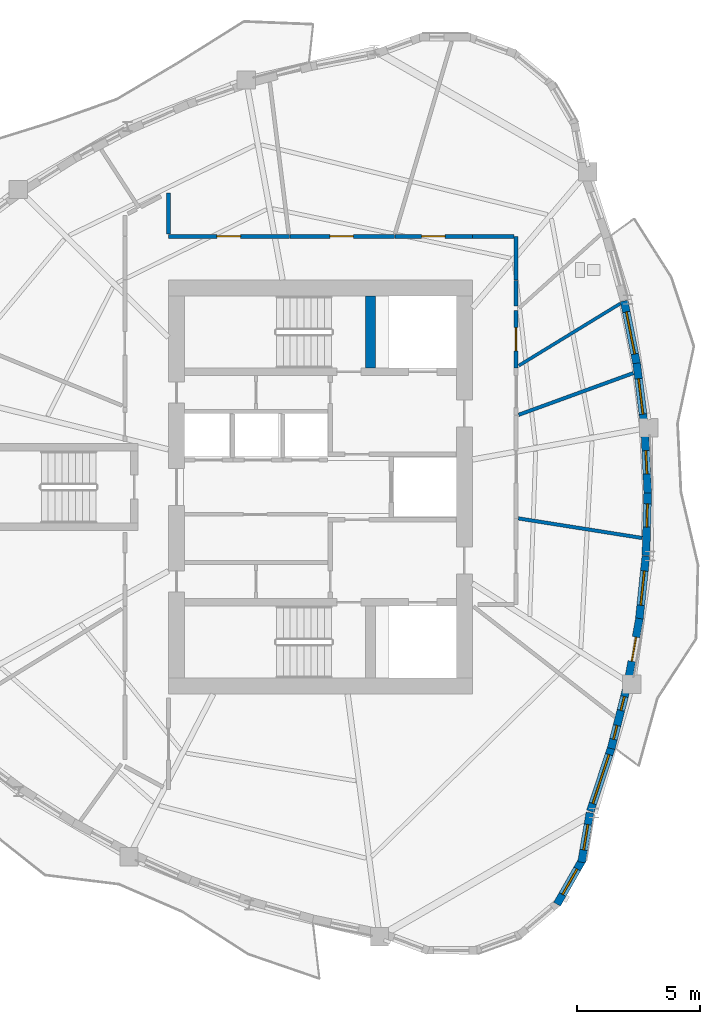
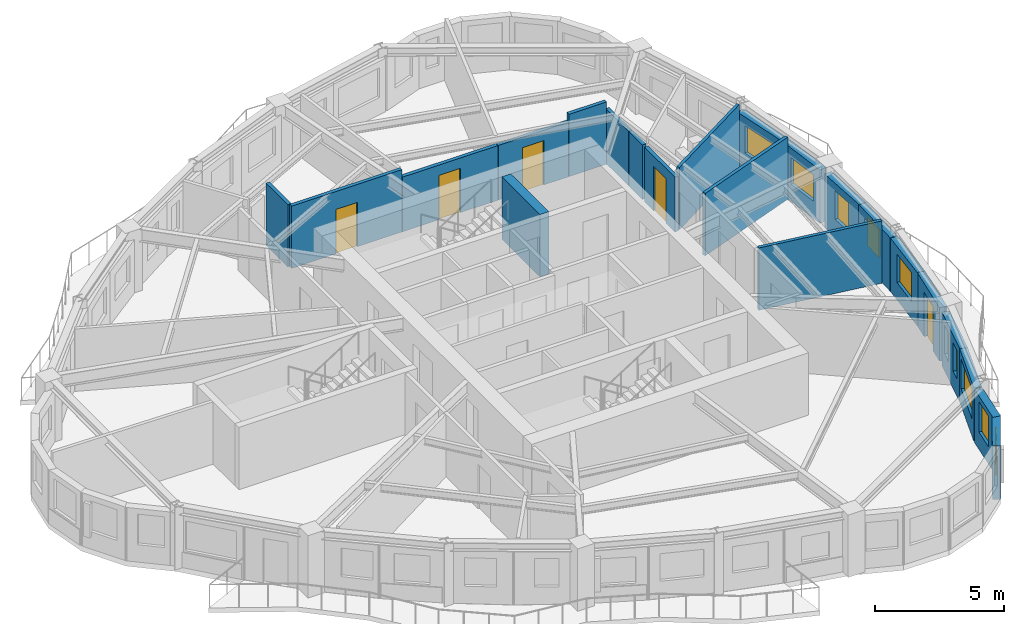
# One storey, part 6 of 12: 22 walls, 10 windows, 5 doors, 15 openings.
"""IFC4 building model written with IfcOpenShell, lengths in metres."""

from ifc_helpers import new_model, si_unit, direction, frame, frame_2d, origin, place, context, subcontext, project, spatial, rectangle, extrude, source, transform, mapped, material, layer, layer_set, type_object, element, fill, save


model = new_model("IFC4")

# Units and contexts
model_context = context("Model", 3, precision=1e-05, world=origin(), true_north=direction((0.0, 1.0)))
body_context = subcontext(model_context, "Body", "Model", "MODEL_VIEW")
ifc_project = project(units=[si_unit("LENGTHUNIT", "METRE"), si_unit("AREAUNIT", "SQUARE_METRE"), si_unit("VOLUMEUNIT", "CUBIC_METRE"), si_unit("PLANEANGLEUNIT", "RADIAN"), si_unit("MASSUNIT", "GRAM", prefix="KILO")], contexts=[model_context])

# Site, building, storey
site_placement = place(None, origin())
site = spatial("IfcSite", under=ifc_project, at=site_placement, CompositionType="ELEMENT")
building_placement = place(site_placement, origin())
building = spatial("IfcBuilding", under=site, at=building_placement, Name="Qafzar Sky-Pleat Residences", CompositionType="ELEMENT")
storey_placement = place(building_placement, frame((0.0, 0.0, 177.800048828125)))
storey = spatial("IfcBuildingStorey", under=building, at=storey_placement, Name="L53", CompositionType="ELEMENT", Elevation=177.800048828125)

# Wall, opening, door
ifc_material_1 = material(Name="Acoustic gypsum plasterboard partition", Category="gypsum")
ifc_layer_1 = layer(ifc_material_1, 0.159912109375)
ifc_layer_set_1 = layer_set([ifc_layer_1], Name="Acoustic gypsum plasterboard partition")
wall_type_1 = type_object("IfcWallType", Name="PART-COR-160", PredefinedType="PARTITIONING", material=ifc_layer_set_1)
wall_1_placement = place(storey_placement, frame((24.14990234375, 36.22998046875, 0.0), z_axis=(0.0, 0.0, 1.0), x_axis=(1.0, 0.0, 0.0)))
wall_1 = element("IfcWall", 1, at=wall_1_placement, inside=storey, type_object=wall_type_1, Name="L53 Partition Wall PART-L53-PW-003", PredefinedType="PARTITIONING", context=body_context, shape_type="SweptSolid", body=[
    extrude(rectangle(XDim=4.93603515625, YDim=0.159912109375, at=frame_2d((2.468017578125, 0.0))), origin(), (0.0, 0.0, 1.0), 2.949951171875),
])
opening_1_placement = place(wall_1_placement, frame((1.98046875, 0.0, 0.0)))
opening_1 = element("IfcOpeningElement", 2, at=opening_1_placement, cuts=wall_1, Name="Opening ID-06", PredefinedType="OPENING", context=body_context, shape_type="SweptSolid", body=[
    extrude(rectangle(XDim=0.9599609375, YDim=2.10009765625, at=frame_2d((0.47998046875, 1.050048828125))), frame((0.0, 0.08984375, 0.0), z_axis=(0.0, -1.0, 0.0), x_axis=(1.0, 0.0, 0.0)), (0.0, 0.0, 1.0), 0.179931640625),
])
ifc_material_2 = material(Name="Timber-faced fire door", Category="wood")
door_type_1 = type_object("IfcDoorType", Name="DR-STD-960", OperationType="NOTDEFINED", PredefinedType="DOOR", material=ifc_material_2)
shared_shape_1 = source(origin(), body_context, "Body", "SweptSolid", [
    extrude(rectangle(XDim=0.9599609375, YDim=2.10009765625, at=frame_2d((0.47998046875, 1.050048828125))), frame((0.0, 0.02490234375, 0.0), z_axis=(0.0, -1.0, 0.0), x_axis=(1.0, 0.0, 0.0)), (0.0, 0.0, 1.0), 0.050048828125),
])
door_1_placement = place(opening_1_placement, origin())
door_1 = element("IfcDoor", 3, at=door_1_placement, inside=storey, type_object=door_type_1, Name="L53 Wellness Yoga Studio Door", OperationType="SINGLE_SWING_LEFT", OverallHeight=2.10009765625, OverallWidth=0.9599609375, PredefinedType="DOOR", context=body_context, shape_type="MappedRepresentation", body=[
    mapped(shared_shape_1, transform((0.0, 0.0, 0.0), x_axis=(1.0, 0.0, 0.0), y_axis=(0.0, 1.0, 0.0), z_axis=(0.0, 0.0, 1.0), scale=1.0)),
])
fill(opening_1, door_1)

wall_2_placement = place(storey_placement, frame((29.10107421875, 36.22998046875, 0.0), z_axis=(0.0, 0.0, 1.0), x_axis=(1.0, 0.0, 0.0)))
wall_2 = element("IfcWall", 4, at=wall_2_placement, inside=storey, type_object=wall_type_1, Name="L53 Partition Wall PART-L53-PW-004", PredefinedType="PARTITIONING", context=body_context, shape_type="SweptSolid", body=[
    extrude(rectangle(XDim=4.280029296875, YDim=0.159912109375, at=frame_2d((2.14013671875, 0.0))), origin(), (0.0, 0.0, 1.0), 2.587890625),
])
opening_2_placement = place(wall_2_placement, frame((1.636962890625, 0.0, 0.0)))
opening_2 = element("IfcOpeningElement", 5, at=opening_2_placement, cuts=wall_2, Name="Opening ID-06", PredefinedType="OPENING", context=body_context, shape_type="SweptSolid", body=[
    extrude(rectangle(XDim=0.9599609375, YDim=2.10009765625, at=frame_2d((0.47998046875, 1.050048828125))), frame((0.0, 0.08984375, 0.0), z_axis=(0.0, -1.0, 0.0), x_axis=(1.0, 0.0, 0.0)), (0.0, 0.0, 1.0), 0.179931640625),
])
door_2_placement = place(opening_2_placement, origin())
door_2 = element("IfcDoor", 6, at=door_2_placement, inside=storey, type_object=door_type_1, Name="L53 Postdoctoral Admin Office Door", OperationType="SINGLE_SWING_RIGHT", OverallHeight=2.10009765625, OverallWidth=0.9599609375, PredefinedType="DOOR", context=body_context, shape_type="MappedRepresentation", body=[
    mapped(shared_shape_1, transform((0.0, 0.0, 0.0), x_axis=(1.0, 0.0, 0.0), y_axis=(0.0, 1.0, 0.0), z_axis=(0.0, 0.0, 1.0), scale=1.0)),
])
fill(opening_2, door_2)

wall_3_placement = place(storey_placement, frame((33.39599609375, 36.22998046875, 0.0), z_axis=(0.0, 0.0, 1.0), x_axis=(1.0, 0.0, 0.0)))
wall_3 = element("IfcWall", 7, at=wall_3_placement, inside=storey, type_object=wall_type_1, Name="L53 Partition Wall PART-L53-PW-008", PredefinedType="PARTITIONING", context=body_context, shape_type="SweptSolid", body=[
    extrude(rectangle(XDim=3.154052734375, YDim=0.159912109375, at=frame_2d((1.5771484375, 0.0))), origin(), (0.0, 0.0, 1.0), 2.587890625),
])
opening_3_placement = place(wall_3_placement, frame((1.08154296875, 0.0, 0.0)))
opening_3 = element("IfcOpeningElement", 8, at=opening_3_placement, cuts=wall_3, Name="Opening ID-06", PredefinedType="OPENING", context=body_context, shape_type="SweptSolid", body=[
    extrude(rectangle(XDim=0.9599609375, YDim=2.10009765625, at=frame_2d((0.47998046875, 1.050048828125))), frame((0.0, 0.08984375, 0.0), z_axis=(0.0, -1.0, 0.0), x_axis=(1.0, 0.0, 0.0)), (0.0, 0.0, 1.0), 0.179931640625),
])
door_3_placement = place(opening_3_placement, origin())
door_3 = element("IfcDoor", 9, at=door_3_placement, inside=storey, type_object=door_type_1, Name="L53 Graduate Desk Workspace Door", OperationType="SINGLE_SWING_RIGHT", OverallHeight=2.10009765625, OverallWidth=0.9599609375, PredefinedType="DOOR", context=body_context, shape_type="MappedRepresentation", body=[
    mapped(shared_shape_1, transform((0.0, 0.0, 0.0), x_axis=(1.0, 0.0, 0.0), y_axis=(0.0, 1.0, 0.0), z_axis=(0.0, 0.0, 1.0), scale=1.0)),
])
fill(opening_3, door_3)

wall_4_placement = place(storey_placement, frame((38.330078125, 33.2060546875, 0.0), z_axis=(0.0, 0.0, 1.0), x_axis=(0.0, -1.0, 0.0)))
wall_4 = element("IfcWall", 10, at=wall_4_placement, inside=storey, type_object=wall_type_1, Name="L53 Partition Wall PART-L53-PW-010", PredefinedType="PARTITIONING", context=body_context, shape_type="SweptSolid", body=[
    extrude(rectangle(XDim=2.343017578125, YDim=0.159912109375, at=frame_2d((1.17138671875, 0.0))), origin(), (0.0, 0.0, 1.0), 2.587890625),
])
opening_4_placement = place(wall_4_placement, frame((0.697509765625, 0.0, 0.0)))
opening_4 = element("IfcOpeningElement", 11, at=opening_4_placement, cuts=wall_4, Name="Opening ID-08", PredefinedType="OPENING", context=body_context, shape_type="SweptSolid", body=[
    extrude(rectangle(XDim=0.949951171875, YDim=2.10009765625, at=frame_2d((0.47509765625, 1.050048828125))), frame((0.0, 0.08984375, 0.0), z_axis=(0.0, -1.0, 0.0), x_axis=(1.0, 0.0, 0.0)), (0.0, 0.0, 1.0), 0.179931640625),
])
door_type_2 = type_object("IfcDoorType", Name="DR-AWC-950", OperationType="NOTDEFINED", PredefinedType="DOOR", material=ifc_material_2)
shared_shape_2 = source(origin(), body_context, "Body", "SweptSolid", [
    extrude(rectangle(XDim=0.949951171875, YDim=2.10009765625, at=frame_2d((0.47509765625, 1.050048828125))), frame((0.0, 0.02490234375, 0.0), z_axis=(0.0, -1.0, 0.0), x_axis=(1.0, 0.0, 0.0)), (0.0, 0.0, 1.0), 0.050048828125),
])
door_4_placement = place(opening_4_placement, origin())
door_4 = element("IfcDoor", 12, at=door_4_placement, inside=storey, type_object=door_type_2, Name="L53 Accessible Shared Washroom Door", OperationType="SINGLE_SWING_LEFT", OverallHeight=2.10009765625, OverallWidth=0.949951171875, PredefinedType="DOOR", context=body_context, shape_type="MappedRepresentation", body=[
    mapped(shared_shape_2, transform((0.0, 0.0, 0.0), x_axis=(1.0, 0.0, 0.0), y_axis=(0.0, 1.0, 0.0), z_axis=(0.0, 0.0, 1.0), scale=1.0)),
])
fill(opening_4, door_4)

# Walls
wall_5_placement = place(storey_placement, frame((38.330078125, 34.449951171875, 0.0), z_axis=(0.0, 0.0, 1.0), x_axis=(0.0, 1.0, 0.0)))
element("IfcWall", 13, at=wall_5_placement, inside=storey, type_object=wall_type_1, Name="L53 Partition Wall PART-L53-PW-026", PredefinedType="PARTITIONING", context=body_context, shape_type="SweptSolid", body=[
    extrude(rectangle(XDim=1.780029296875, YDim=0.159912109375, at=frame_2d((0.89013671875, 0.0))), origin(), (0.0, 0.0, 1.0), 2.587890625),
])
wall_6_placement = place(storey_placement, frame((24.14990234375, 36.318115234375, 0.0), z_axis=(0.0, 0.0, 1.0), x_axis=(0.0, 1.0, 0.0)))
element("IfcWall", 14, at=wall_6_placement, inside=storey, type_object=wall_type_1, Name="L53 Partition Wall PART-L53-PW-028", PredefinedType="PARTITIONING", context=body_context, shape_type="SweptSolid", body=[
    extrude(rectangle(XDim=1.678955078125, YDim=0.159912109375, at=frame_2d((0.83935546875, 0.0))), origin(), (0.0, 0.0, 1.0), 2.949951171875),
])
wall_7_placement = place(storey_placement, frame((36.56494140625, 36.22998046875, 0.0), z_axis=(0.0, 0.0, 1.0), x_axis=(1.0, 0.0, 0.0)))
element("IfcWall", 15, at=wall_7_placement, inside=storey, type_object=wall_type_1, Name="L53 Partition Wall PART-L53-PW-029", PredefinedType="PARTITIONING", context=body_context, shape_type="SweptSolid", body=[
    extrude(rectangle(XDim=1.677001953125, YDim=0.159912109375, at=frame_2d((0.83837890625, 0.0))), origin(), (0.0, 0.0, 1.0), 2.949951171875),
])
wall_8_placement = place(storey_placement, frame((38.330078125, 33.388427734375, 0.0), z_axis=(0.0, 0.0, 1.0), x_axis=(0.0, 1.0, 0.0)))
element("IfcWall", 16, at=wall_8_placement, inside=storey, type_object=wall_type_1, Name="L53 Partition Wall PART-L53-PW-031", PredefinedType="PARTITIONING", context=body_context, shape_type="SweptSolid", body=[
    extrude(rectangle(XDim=1.046630859375, YDim=0.159912109375, at=frame_2d((0.5234375, 0.0))), origin(), (0.0, 0.0, 1.0), 2.587890625),
])
ifc_layer_2 = layer(ifc_material_1, 0.14501953125)
ifc_layer_set_2 = layer_set([ifc_layer_2], Name="Acoustic gypsum plasterboard partition")
wall_type_2 = type_object("IfcWallType", Name="PART-UNIT-145", PredefinedType="PARTITIONING", material=ifc_layer_set_2)
wall_9_placement = place(storey_placement, frame((38.42919921875, 24.71923828125, 0.0), z_axis=(0.0, 0.0, 1.0), x_axis=(0.98767528873, -0.156516849034, 0.0)))
element("IfcWall", 17, at=wall_9_placement, inside=storey, type_object=wall_type_2, Name="L53 Partition Wall PART-L53-PW-019", PredefinedType="PARTITIONING", context=body_context, shape_type="SweptSolid", body=[
    extrude(rectangle(XDim=5.111572265625, YDim=0.14501953125, at=frame_2d((2.5556640625, 0.0))), origin(), (0.0, 0.0, 1.0), 2.949951171875),
])
wall_10_placement = place(storey_placement, frame((38.4423828125, 28.94580078125, 0.0), z_axis=(0.0, 0.0, 1.0), x_axis=(0.939673102303, 0.342073765155, 0.0)))
element("IfcWall", 18, at=wall_10_placement, inside=storey, type_object=wall_type_2, Name="L53 Partition Wall PART-L53-PW-020", PredefinedType="PARTITIONING", context=body_context, shape_type="SweptSolid", body=[
    extrude(rectangle(XDim=4.978759765625, YDim=0.14501953125, at=frame_2d((2.4892578125, 0.0))), origin(), (0.0, 0.0, 1.0), 2.949951171875),
])
ifc_material_3 = material(Name="Moisture-resistant gypsum partition", Category="gypsum")
ifc_layer_3 = layer(ifc_material_3, 0.1298828125)
ifc_layer_set_3 = layer_set([ifc_layer_3], Name="Moisture-resistant gypsum partition")
wall_type_3 = type_object("IfcWallType", Name="PART-WET-130", PredefinedType="PARTITIONING", material=ifc_layer_set_3)
wall_11_placement = place(storey_placement, frame((38.45068359375, 30.954833984375, 0.0), z_axis=(0.0, 0.0, 1.0), x_axis=(0.85307660207, 0.521785694515, 0.0)))
element("IfcWall", 19, at=wall_11_placement, inside=storey, type_object=wall_type_3, Name="L53 Partition Wall PART-L53-PW-021", PredefinedType="PARTITIONING", context=body_context, shape_type="SweptSolid", body=[
    extrude(rectangle(XDim=4.853515625, YDim=0.1298828125, at=frame_2d((2.4267578125, 0.0))), origin(), (0.0, 0.0, 1.0), 2.949951171875),
])

# Wall, opening, window
ifc_material_4 = material(Name="Precast concrete C40/50 with honed Riyadh limestone", Category="concrete")
ifc_layer_4 = layer(ifc_material_4, 0.320068359375)
ifc_layer_set_4 = layer_set([ifc_layer_4], Name="Precast concrete C40/50 with honed Riyadh limestone")
wall_type_4 = type_object("IfcWallType", Name="WALL-EXT-320", PredefinedType="SOLIDWALL", material=ifc_layer_set_4)
wall_12_placement = place(storey_placement, frame((40.0078125, 8.977294921875, 0.0), z_axis=(0.0, 0.0, 1.0), x_axis=(0.495802305102, 0.868435417435, 0.0)))
wall_12 = element("IfcWall", 20, at=wall_12_placement, inside=storey, type_object=wall_type_4, Name="L53 Limestone Facade Wall 21", PredefinedType="SOLIDWALL", context=body_context, shape_type="SweptSolid", body=[
    extrude(rectangle(XDim=2.109130859375, YDim=0.320068359375, at=frame_2d((1.0546875, 0.0))), origin(), (0.0, 0.0, 1.0), 2.530029296875),
])
opening_5_placement = place(wall_12_placement, frame((0.454345703125, 0.0, 0.820068359375)))
opening_5 = element("IfcOpeningElement", 21, at=opening_5_placement, cuts=wall_12, Name="Opening WN-05", PredefinedType="OPENING", context=body_context, shape_type="SweptSolid", body=[
    extrude(rectangle(XDim=1.199951171875, YDim=1.449951171875, at=frame_2d((0.60009765625, 0.72509765625))), frame((0.0, 0.169921875, 0.0), z_axis=(0.0, -1.0, 0.0), x_axis=(1.0, 0.0, 0.0)), (0.0, 0.0, 1.0), 0.340087890625),
])
ifc_material_5 = material(Name="Solar-control low-E glass in bronze aluminium frame", Category="glass")
window_type_1 = type_object("IfcWindowType", Name="WIN-05", PartitioningType="SINGLE_PANEL", PredefinedType="WINDOW", material=ifc_material_5)
shared_shape_3 = source(origin(), body_context, "Body", "SweptSolid", [
    extrude(rectangle(XDim=1.199951171875, YDim=1.449951171875, at=frame_2d((0.60009765625, 0.72509765625))), frame((0.0, 0.030029296875, 0.0), z_axis=(0.0, -1.0, 0.0), x_axis=(1.0, 0.0, 0.0)), (0.0, 0.0, 1.0), 0.06005859375),
])
window_1_placement = place(opening_5_placement, origin())
window_1 = element("IfcWindow", 22, at=window_1_placement, inside=storey, type_object=window_type_1, Name="L53 Punched Facade Window 21", OverallHeight=1.449951171875, OverallWidth=1.199951171875, PartitioningType="SINGLE_PANEL", PredefinedType="WINDOW", context=body_context, shape_type="MappedRepresentation", body=[
    mapped(shared_shape_3, transform((0.0, 0.0, 0.0), x_axis=(1.0, 0.0, 0.0), y_axis=(0.0, 1.0, 0.0), z_axis=(0.0, 0.0, 1.0), scale=1.0)),
])
fill(opening_5, window_1)

wall_13_placement = place(storey_placement, frame((41.009521484375, 10.685546875, 0.0), z_axis=(0.0, 0.0, 1.0), x_axis=(0.165595781399, 0.986193711794, 0.0)))
wall_13 = element("IfcWall", 23, at=wall_13_placement, inside=storey, type_object=wall_type_4, Name="L53 Limestone Facade Wall 22", PredefinedType="SOLIDWALL", context=body_context, shape_type="SweptSolid", body=[
    extrude(rectangle(XDim=2.05078125, YDim=0.320068359375, at=frame_2d((1.025390625, 0.0))), origin(), (0.0, 0.0, 1.0), 2.530029296875),
])
opening_6_placement = place(wall_13_placement, frame((0.510498046875, 0.0, 0.820068359375)))
opening_6 = element("IfcOpeningElement", 24, at=opening_6_placement, cuts=wall_13, Name="Opening WN-06", PredefinedType="OPENING", context=body_context, shape_type="SweptSolid", body=[
    extrude(rectangle(XDim=1.050048828125, YDim=1.449951171875, at=frame_2d((0.52490234375, 0.72509765625))), frame((0.0, 0.169921875, 0.0), z_axis=(0.0, -1.0, 0.0), x_axis=(1.0, 0.0, 0.0)), (0.0, 0.0, 1.0), 0.340087890625),
])
window_type_2 = type_object("IfcWindowType", Name="WIN-06", PartitioningType="SINGLE_PANEL", PredefinedType="WINDOW", material=ifc_material_5)
shared_shape_4 = source(origin(), body_context, "Body", "SweptSolid", [
    extrude(rectangle(XDim=1.050048828125, YDim=1.449951171875, at=frame_2d((0.52490234375, 0.72509765625))), frame((0.0, 0.030029296875, 0.0), z_axis=(0.0, -1.0, 0.0), x_axis=(1.0, 0.0, 0.0)), (0.0, 0.0, 1.0), 0.06005859375),
])
window_2_placement = place(opening_6_placement, origin())
window_2 = element("IfcWindow", 25, at=window_2_placement, inside=storey, type_object=window_type_2, Name="L53 Punched Facade Window 22", OverallHeight=1.449951171875, OverallWidth=1.050048828125, PartitioningType="SINGLE_PANEL", PredefinedType="WINDOW", context=body_context, shape_type="MappedRepresentation", body=[
    mapped(shared_shape_4, transform((0.0, 0.0, 0.0), x_axis=(1.0, 0.0, 0.0), y_axis=(0.0, 1.0, 0.0), z_axis=(0.0, 0.0, 1.0), scale=1.0)),
])
fill(opening_6, window_2)

wall_14_placement = place(storey_placement, frame((41.36474609375, 12.7705078125, 0.0), z_axis=(0.0, 0.0, 1.0), x_axis=(0.314358373976, 0.949304383594, 0.0)))
wall_14 = element("IfcWall", 26, at=wall_14_placement, inside=storey, type_object=wall_type_4, Name="L53 Limestone Facade Wall 23", PredefinedType="SOLIDWALL", context=body_context, shape_type="SweptSolid", body=[
    extrude(rectangle(XDim=2.78271484375, YDim=0.320068359375, at=frame_2d((1.391357421875, 0.0))), origin(), (0.0, 0.0, 1.0), 2.530029296875),
])
opening_7_placement = place(wall_14_placement, frame((0.331298828125, 0.0, 0.820068359375)))
opening_7 = element("IfcOpeningElement", 27, at=opening_7_placement, cuts=wall_14, Name="Opening WN-07", PredefinedType="OPENING", context=body_context, shape_type="SweptSolid", body=[
    extrude(rectangle(XDim=2.10009765625, YDim=1.39990234375, at=frame_2d((1.050048828125, 0.699951171875))), frame((0.0, 0.169921875, 0.0), z_axis=(0.0, -1.0, 0.0), x_axis=(1.0, 0.0, 0.0)), (0.0, 0.0, 1.0), 0.340087890625),
])
window_type_3 = type_object("IfcWindowType", Name="WIN-07", PartitioningType="DOUBLE_PANEL_VERTICAL", PredefinedType="WINDOW", material=ifc_material_5)
shared_shape_5 = source(origin(), body_context, "Body", "SweptSolid", [
    extrude(rectangle(XDim=2.10009765625, YDim=1.39990234375, at=frame_2d((1.050048828125, 0.699951171875))), frame((0.0, 0.030029296875, 0.0), z_axis=(0.0, -1.0, 0.0), x_axis=(1.0, 0.0, 0.0)), (0.0, 0.0, 1.0), 0.06005859375),
])
window_3_placement = place(opening_7_placement, origin())
window_3 = element("IfcWindow", 28, at=window_3_placement, inside=storey, type_object=window_type_3, Name="L53 Punched Facade Window 23", OverallHeight=1.39990234375, OverallWidth=2.10009765625, PartitioningType="SINGLE_PANEL", PredefinedType="WINDOW", context=body_context, shape_type="MappedRepresentation", body=[
    mapped(shared_shape_5, transform((0.0, 0.0, 0.0), x_axis=(1.0, 0.0, 0.0), y_axis=(0.0, 1.0, 0.0), z_axis=(0.0, 0.0, 1.0), scale=1.0)),
])
fill(opening_7, window_3)

# Wall, openings, windows
wall_15_placement = place(storey_placement, frame((42.215087890625, 15.32861328125, 0.0), z_axis=(0.0, 0.0, 1.0), x_axis=(0.247653539834, 0.968848659083, 0.0)))
wall_15 = element("IfcWall", 29, at=wall_15_placement, inside=storey, type_object=wall_type_4, Name="L53 Limestone Facade Wall 24", PredefinedType="SOLIDWALL", context=body_context, shape_type="SweptSolid", body=[
    extrude(rectangle(XDim=2.579833984375, YDim=0.320068359375, at=frame_2d((1.2900390625, 0.0))), origin(), (0.0, 0.0, 1.0), 2.530029296875),
])
opening_8_placement = place(wall_15_placement, frame((0.39013671875, 0.0, 0.820068359375)))
opening_8 = element("IfcOpeningElement", 30, at=opening_8_placement, cuts=wall_15, Name="Opening WN-17", PredefinedType="OPENING", context=body_context, shape_type="SweptSolid", body=[
    extrude(rectangle(XDim=0.580078125, YDim=1.35009765625, at=frame_2d((0.2900390625, 0.675048828125))), frame((0.0, 0.169921875, 0.0), z_axis=(0.0, -1.0, 0.0), x_axis=(1.0, 0.0, 0.0)), (0.0, 0.0, 1.0), 0.340087890625),
])
opening_9_placement = place(wall_15_placement, frame((1.60498046875, 0.0, 0.820068359375)))
opening_9 = element("IfcOpeningElement", 31, at=opening_9_placement, cuts=wall_15, Name="Opening WN-17", PredefinedType="OPENING", context=body_context, shape_type="SweptSolid", body=[
    extrude(rectangle(XDim=0.580078125, YDim=1.35009765625, at=frame_2d((0.2900390625, 0.675048828125))), frame((0.0, 0.169921875, 0.0), z_axis=(0.0, -1.0, 0.0), x_axis=(1.0, 0.0, 0.0)), (0.0, 0.0, 1.0), 0.340087890625),
])
window_type_4 = type_object("IfcWindowType", Name="WIN-17", PartitioningType="SINGLE_PANEL", PredefinedType="WINDOW", material=ifc_material_5)
shared_shape_6 = source(origin(), body_context, "Body", "SweptSolid", [
    extrude(rectangle(XDim=0.580078125, YDim=1.35009765625, at=frame_2d((0.2900390625, 0.675048828125))), frame((0.0, 0.030029296875, 0.0), z_axis=(0.0, -1.0, 0.0), x_axis=(1.0, 0.0, 0.0)), (0.0, 0.0, 1.0), 0.06005859375),
])
window_4_placement = place(opening_8_placement, origin())
window_4 = element("IfcWindow", 32, at=window_4_placement, inside=storey, type_object=window_type_4, Name="L53 Punched Facade Window 24", OverallHeight=1.35009765625, OverallWidth=0.580078125, PartitioningType="SINGLE_PANEL", PredefinedType="WINDOW", context=body_context, shape_type="MappedRepresentation", body=[
    mapped(shared_shape_6, transform((0.0, 0.0, 0.0), x_axis=(1.0, 0.0, 0.0), y_axis=(0.0, 1.0, 0.0), z_axis=(0.0, 0.0, 1.0), scale=1.0)),
])
fill(opening_8, window_4)
window_5_placement = place(opening_9_placement, origin())
window_5 = element("IfcWindow", 33, at=window_5_placement, inside=storey, type_object=window_type_4, Name="L53 Punched Facade Window 24-2", OverallHeight=1.35009765625, OverallWidth=0.580078125, PartitioningType="SINGLE_PANEL", PredefinedType="WINDOW", context=body_context, shape_type="MappedRepresentation", body=[
    mapped(shared_shape_6, transform((0.0, 0.0, 0.0), x_axis=(1.0, 0.0, 0.0), y_axis=(0.0, 1.0, 0.0), z_axis=(0.0, 0.0, 1.0), scale=1.0)),
])
fill(opening_9, window_5)

# Wall, opening, door
wall_16_placement = place(storey_placement, frame((42.921875, 18.13916015625, 0.0), z_axis=(0.0, 0.0, 1.0), x_axis=(0.177063467193, 0.984199435371, 0.0)))
wall_16 = element("IfcWall", 34, at=wall_16_placement, inside=storey, type_object=wall_type_4, Name="L53 Limestone Facade Wall 25", PredefinedType="SOLIDWALL", context=body_context, shape_type="SweptSolid", body=[
    extrude(rectangle(XDim=2.53564453125, YDim=0.320068359375, at=frame_2d((1.267822265625, 0.0))), origin(), (0.0, 0.0, 1.0), 2.530029296875),
])
opening_10_placement = place(wall_16_placement, frame((0.762939453125, 0.0, 0.0)))
opening_10 = element("IfcOpeningElement", 35, at=opening_10_placement, cuts=wall_16, Name="Opening ED-05", PredefinedType="OPENING", context=body_context, shape_type="SweptSolid", body=[
    extrude(rectangle(XDim=1.0, YDim=2.10009765625, at=frame_2d((0.5, 1.050048828125))), frame((0.0, 0.169921875, 0.0), z_axis=(0.0, -1.0, 0.0), x_axis=(1.0, 0.0, 0.0)), (0.0, 0.0, 1.0), 0.340087890625),
])
ifc_material_6 = material(Name="Glazed bronze aluminium door", Category="aluminium")
door_type_3 = type_object("IfcDoorType", Name="DR-BAL-1000", OperationType="NOTDEFINED", PredefinedType="DOOR", material=ifc_material_6)
shared_shape_7 = source(origin(), body_context, "Body", "SweptSolid", [
    extrude(rectangle(XDim=1.0, YDim=2.10009765625, at=frame_2d((0.5, 1.050048828125))), frame((0.0, 0.02490234375, 0.0), z_axis=(0.0, -1.0, 0.0), x_axis=(1.0, 0.0, 0.0)), (0.0, 0.0, 1.0), 0.050048828125),
])
door_5_placement = place(opening_10_placement, origin())
door_5 = element("IfcDoor", 36, at=door_5_placement, inside=storey, type_object=door_type_3, Name="L53 Glazed Balcony Door 1", OperationType="SINGLE_SWING_LEFT", OverallHeight=2.10009765625, OverallWidth=1.0, PredefinedType="DOOR", context=body_context, shape_type="MappedRepresentation", body=[
    mapped(shared_shape_7, transform((0.0, 0.0, 0.0), x_axis=(1.0, 0.0, 0.0), y_axis=(0.0, 1.0, 0.0), z_axis=(0.0, 0.0, 1.0), scale=1.0)),
])
fill(opening_10, door_5)

# Wall, opening, window
wall_17_placement = place(storey_placement, frame((43.3583984375, 20.5478515625, 0.0), z_axis=(0.0, 0.0, 1.0), x_axis=(0.103697188692, 0.994608914628, 0.0)))
wall_17 = element("IfcWall", 37, at=wall_17_placement, inside=storey, type_object=wall_type_4, Name="L53 Limestone Facade Wall 26", PredefinedType="SOLIDWALL", context=body_context, shape_type="SweptSolid", body=[
    extrude(rectangle(XDim=2.651123046875, YDim=0.320068359375, at=frame_2d((1.32568359375, 0.0))), origin(), (0.0, 0.0, 1.0), 2.530029296875),
])
opening_11_placement = place(wall_17_placement, frame((0.635498046875, 0.0, 0.820068359375)))
opening_11 = element("IfcOpeningElement", 38, at=opening_11_placement, cuts=wall_17, Name="Opening WN-10", PredefinedType="OPENING", context=body_context, shape_type="SweptSolid", body=[
    extrude(rectangle(XDim=1.39990234375, YDim=1.35009765625, at=frame_2d((0.699951171875, 0.675048828125))), frame((0.0, 0.169921875, 0.0), z_axis=(0.0, -1.0, 0.0), x_axis=(1.0, 0.0, 0.0)), (0.0, 0.0, 1.0), 0.340087890625),
])
window_type_5 = type_object("IfcWindowType", Name="WIN-10", PartitioningType="SINGLE_PANEL", PredefinedType="WINDOW", material=ifc_material_5)
shared_shape_8 = source(origin(), body_context, "Body", "SweptSolid", [
    extrude(rectangle(XDim=1.39990234375, YDim=1.35009765625, at=frame_2d((0.699951171875, 0.675048828125))), frame((0.0, 0.030029296875, 0.0), z_axis=(0.0, -1.0, 0.0), x_axis=(1.0, 0.0, 0.0)), (0.0, 0.0, 1.0), 0.06005859375),
])
window_6_placement = place(opening_11_placement, origin())
window_6 = element("IfcWindow", 39, at=window_6_placement, inside=storey, type_object=window_type_5, Name="L53 Punched Facade Window 26", OverallHeight=1.35009765625, OverallWidth=1.39990234375, PartitioningType="SINGLE_PANEL", PredefinedType="WINDOW", context=body_context, shape_type="MappedRepresentation", body=[
    mapped(shared_shape_8, transform((0.0, 0.0, 0.0), x_axis=(1.0, 0.0, 0.0), y_axis=(0.0, 1.0, 0.0), z_axis=(0.0, 0.0, 1.0), scale=1.0)),
])
fill(opening_11, window_6)

wall_18_placement = place(storey_placement, frame((43.635009765625, 23.21240234375, 0.0), z_axis=(0.0, 0.0, 1.0), x_axis=(0.028250395457, 0.999600877929, 0.0)))
wall_18 = element("IfcWall", 40, at=wall_18_placement, inside=storey, type_object=wall_type_4, Name="L53 Limestone Facade Wall 27", PredefinedType="SOLIDWALL", context=body_context, shape_type="SweptSolid", body=[
    extrude(rectangle(XDim=2.6357421875, YDim=0.320068359375, at=frame_2d((1.31787109375, 0.0))), origin(), (0.0, 0.0, 1.0), 2.530029296875),
])
opening_12_placement = place(wall_18_placement, frame((1.152099609375, 0.0, 0.820068359375)))
opening_12 = element("IfcOpeningElement", 41, at=opening_12_placement, cuts=wall_18, Name="Opening WN-12", PredefinedType="OPENING", context=body_context, shape_type="SweptSolid", body=[
    extrude(rectangle(XDim=0.949951171875, YDim=1.35009765625, at=frame_2d((0.47509765625, 0.675048828125))), frame((0.0, 0.169921875, 0.0), z_axis=(0.0, -1.0, 0.0), x_axis=(1.0, 0.0, 0.0)), (0.0, 0.0, 1.0), 0.340087890625),
])
window_type_6 = type_object("IfcWindowType", Name="WIN-12", PartitioningType="SINGLE_PANEL", PredefinedType="WINDOW", material=ifc_material_5)
shared_shape_9 = source(origin(), body_context, "Body", "SweptSolid", [
    extrude(rectangle(XDim=0.949951171875, YDim=1.35009765625, at=frame_2d((0.47509765625, 0.675048828125))), frame((0.0, 0.030029296875, 0.0), z_axis=(0.0, -1.0, 0.0), x_axis=(1.0, 0.0, 0.0)), (0.0, 0.0, 1.0), 0.06005859375),
])
window_7_placement = place(opening_12_placement, origin())
window_7 = element("IfcWindow", 42, at=window_7_placement, inside=storey, type_object=window_type_6, Name="L53 Punched Facade Window 27-2", OverallHeight=1.35009765625, OverallWidth=0.949951171875, PartitioningType="SINGLE_PANEL", PredefinedType="WINDOW", context=body_context, shape_type="MappedRepresentation", body=[
    mapped(shared_shape_9, transform((0.0, 0.0, 0.0), x_axis=(1.0, 0.0, 0.0), y_axis=(0.0, 1.0, 0.0), z_axis=(0.0, 0.0, 1.0), scale=1.0)),
])
fill(opening_12, window_7)

wall_19_placement = place(storey_placement, frame((43.71044921875, 25.759033203125, 0.0), z_axis=(0.0, 0.0, 1.0), x_axis=(-0.047728119822, 0.998860363904, 0.0)))
wall_19 = element("IfcWall", 43, at=wall_19_placement, inside=storey, type_object=wall_type_4, Name="L53 Limestone Facade Wall 28", PredefinedType="SOLIDWALL", context=body_context, shape_type="SweptSolid", body=[
    extrude(rectangle(XDim=2.4912109375, YDim=0.320068359375, at=frame_2d((1.24560546875, 0.0))), origin(), (0.0, 0.0, 1.0), 2.530029296875),
])
opening_13_placement = place(wall_19_placement, frame((0.775390625, 0.0, 0.820068359375)))
opening_13 = element("IfcOpeningElement", 44, at=opening_13_placement, cuts=wall_19, Name="Opening WN-12", PredefinedType="OPENING", context=body_context, shape_type="SweptSolid", body=[
    extrude(rectangle(XDim=0.949951171875, YDim=1.35009765625, at=frame_2d((0.47509765625, 0.675048828125))), frame((0.0, 0.169921875, 0.0), z_axis=(0.0, -1.0, 0.0), x_axis=(1.0, 0.0, 0.0)), (0.0, 0.0, 1.0), 0.340087890625),
])
window_8_placement = place(opening_13_placement, origin())
window_8 = element("IfcWindow", 45, at=window_8_placement, inside=storey, type_object=window_type_6, Name="L53 Punched Facade Window 28", OverallHeight=1.35009765625, OverallWidth=0.949951171875, PartitioningType="SINGLE_PANEL", PredefinedType="WINDOW", context=body_context, shape_type="MappedRepresentation", body=[
    mapped(shared_shape_9, transform((0.0, 0.0, 0.0), x_axis=(1.0, 0.0, 0.0), y_axis=(0.0, 1.0, 0.0), z_axis=(0.0, 0.0, 1.0), scale=1.0)),
])
fill(opening_13, window_8)

wall_20_placement = place(storey_placement, frame((43.564453125, 28.563720703125, 0.0), z_axis=(0.0, 0.0, 1.0), x_axis=(-0.122859489431, 0.992424075613, 0.0)))
wall_20 = element("IfcWall", 46, at=wall_20_placement, inside=storey, type_object=wall_type_4, Name="L53 Limestone Facade Wall 29", PredefinedType="SOLIDWALL", context=body_context, shape_type="SweptSolid", body=[
    extrude(rectangle(XDim=2.505859375, YDim=0.320068359375, at=frame_2d((1.2529296875, 0.0))), origin(), (0.0, 0.0, 1.0), 2.530029296875),
])
opening_14_placement = place(wall_20_placement, frame((0.416015625, 0.0, 0.820068359375)))
opening_14 = element("IfcOpeningElement", 47, at=opening_14_placement, cuts=wall_20, Name="Opening WN-15", PredefinedType="OPENING", context=body_context, shape_type="SweptSolid", body=[
    extrude(rectangle(XDim=1.449951171875, YDim=1.25, at=frame_2d((0.72509765625, 0.625))), frame((0.0, 0.169921875, 0.0), z_axis=(0.0, -1.0, 0.0), x_axis=(1.0, 0.0, 0.0)), (0.0, 0.0, 1.0), 0.340087890625),
])
window_type_7 = type_object("IfcWindowType", Name="WIN-15", PartitioningType="SINGLE_PANEL", PredefinedType="WINDOW", material=ifc_material_5)
shared_shape_10 = source(origin(), body_context, "Body", "SweptSolid", [
    extrude(rectangle(XDim=1.449951171875, YDim=1.25, at=frame_2d((0.72509765625, 0.625))), frame((0.0, 0.030029296875, 0.0), z_axis=(0.0, -1.0, 0.0), x_axis=(1.0, 0.0, 0.0)), (0.0, 0.0, 1.0), 0.06005859375),
])
window_9_placement = place(opening_14_placement, origin())
window_9 = element("IfcWindow", 48, at=window_9_placement, inside=storey, type_object=window_type_7, Name="L53 Punched Facade Window 29", OverallHeight=1.25, OverallWidth=1.449951171875, PartitioningType="SINGLE_PANEL", PredefinedType="WINDOW", context=body_context, shape_type="MappedRepresentation", body=[
    mapped(shared_shape_10, transform((0.0, 0.0, 0.0), x_axis=(1.0, 0.0, 0.0), y_axis=(0.0, 1.0, 0.0), z_axis=(0.0, 0.0, 1.0), scale=1.0)),
])
fill(opening_14, window_9)

wall_21_placement = place(storey_placement, frame((43.2705078125, 30.9638671875, 0.0), z_axis=(0.0, 0.0, 1.0), x_axis=(-0.196151159504, 0.980573670167, 0.0)))
wall_21 = element("IfcWall", 49, at=wall_21_placement, inside=storey, type_object=wall_type_4, Name="L53 Limestone Facade Wall 30", PredefinedType="SOLIDWALL", context=body_context, shape_type="SweptSolid", body=[
    extrude(rectangle(XDim=2.680908203125, YDim=0.320068359375, at=frame_2d((1.34033203125, 0.0))), origin(), (0.0, 0.0, 1.0), 2.530029296875),
])
opening_15_placement = place(wall_21_placement, frame((0.47265625, 0.0, 0.820068359375)))
opening_15 = element("IfcOpeningElement", 50, at=opening_15_placement, cuts=wall_21, Name="Opening WN-14", PredefinedType="OPENING", context=body_context, shape_type="SweptSolid", body=[
    extrude(rectangle(XDim=1.75, YDim=1.300048828125, at=frame_2d((0.875, 0.64990234375))), frame((0.0, 0.169921875, 0.0), z_axis=(0.0, -1.0, 0.0), x_axis=(1.0, 0.0, 0.0)), (0.0, 0.0, 1.0), 0.340087890625),
])
window_type_8 = type_object("IfcWindowType", Name="WIN-14", PartitioningType="DOUBLE_PANEL_VERTICAL", PredefinedType="WINDOW", material=ifc_material_5)
shared_shape_11 = source(origin(), body_context, "Body", "SweptSolid", [
    extrude(rectangle(XDim=1.75, YDim=1.300048828125, at=frame_2d((0.875, 0.64990234375))), frame((0.0, 0.030029296875, 0.0), z_axis=(0.0, -1.0, 0.0), x_axis=(1.0, 0.0, 0.0)), (0.0, 0.0, 1.0), 0.06005859375),
])
window_10_placement = place(opening_15_placement, origin())
window_10 = element("IfcWindow", 51, at=window_10_placement, inside=storey, type_object=window_type_8, Name="L53 Punched Facade Window 30", OverallHeight=1.300048828125, OverallWidth=1.75, PartitioningType="SINGLE_PANEL", PredefinedType="WINDOW", context=body_context, shape_type="MappedRepresentation", body=[
    mapped(shared_shape_11, transform((0.0, 0.0, 0.0), x_axis=(1.0, 0.0, 0.0), y_axis=(0.0, 1.0, 0.0), z_axis=(0.0, 0.0, 1.0), scale=1.0)),
])
fill(opening_15, window_10)

# Wall
ifc_material_7 = material(Name="Concrete C60/75", Category="concrete")
ifc_layer_5 = layer(ifc_material_7, 0.39990234375)
ifc_layer_set_5 = layer_set([ifc_layer_5], Name="Concrete C60/75")
wall_type_5 = type_object("IfcWallType", Name="WALL-SHEAR-400", PredefinedType="SHEAR", material=ifc_layer_set_5)
wall_22_placement = place(storey_placement, frame((32.39990234375, 30.85009765625, 0.0), z_axis=(0.0, 0.0, 1.0), x_axis=(0.0, 1.0, 0.0)))
element("IfcWall", 52, at=wall_22_placement, inside=storey, type_object=wall_type_5, Name="L53 Stair ST2 East Dividing Wall", PredefinedType="SHEAR", context=body_context, shape_type="SweptSolid", body=[
    extrude(rectangle(XDim=2.949951171875, YDim=0.39990234375, at=frame_2d((1.47509765625, 0.0))), origin(), (0.0, 0.0, 1.0), 2.949951171875),
])

save(model, "model.ifc")
